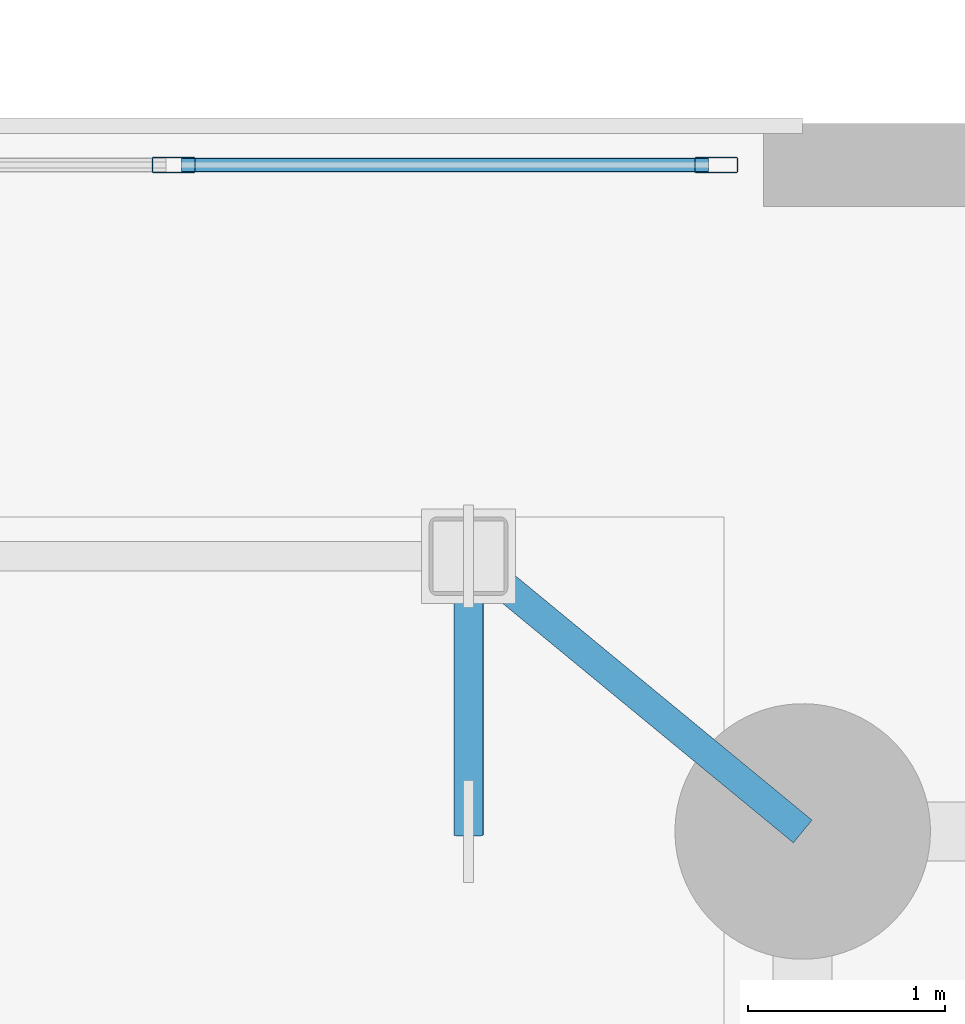
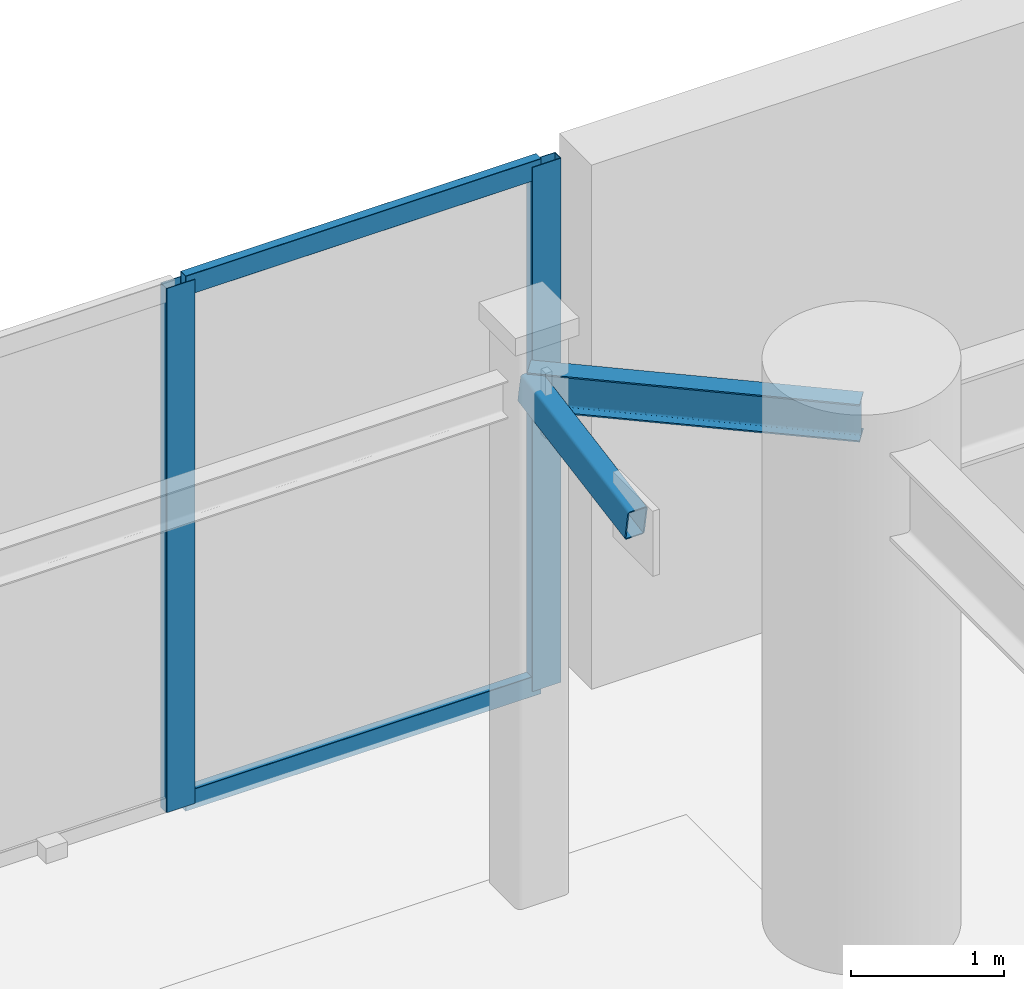
# One storey, part 19 of 42: 5 members, 1 beam, 1 element without a shape of its own.
"""IFC4 building model written with IfcOpenShell, lengths in metres."""

from ifc_helpers import new_model, si_unit, direction, frame, origin, origin_2d, place, context, subcontext, project, spatial, hollow_rectangle, i_section, extrude, material, material_profile, profile_set, type_object, element, aggregate, save


model = new_model("IFC4")

# Units and contexts
model_context = context("Model", 3, precision=1e-05, world=origin(), true_north=direction((0.0, 1.0)))
body_context = subcontext(model_context, "Body", "Model", "MODEL_VIEW")
ifc_project = project(units=[si_unit("LENGTHUNIT", "METRE"), si_unit("AREAUNIT", "SQUARE_METRE"), si_unit("VOLUMEUNIT", "CUBIC_METRE"), si_unit("PLANEANGLEUNIT", "RADIAN"), si_unit("MASSUNIT", "GRAM", prefix="KILO")], contexts=[model_context])

# Site, building, storey
site_placement = place(None, origin())
site = spatial("IfcSite", under=ifc_project, at=site_placement, CompositionType="ELEMENT")
building_placement = place(site_placement, origin())
building = spatial("IfcBuilding", under=site, at=building_placement, Name="Narakoshi Arena Tower", CompositionType="ELEMENT")
storey_placement = place(building_placement, origin())
storey = spatial("IfcBuildingStorey", under=building, at=storey_placement, Name="L00", CompositionType="ELEMENT", Elevation=0.0)

# Beam
ifc_material_1 = material(Name="Structural steel S355J2", Category="steel")
ifc_material_profile_1 = material_profile(ifc_material_1, i_section(OverallWidth=0.14990234375, OverallDepth=0.300048828125, WebThickness=0.007080078125, FlangeThickness=0.0107421875, FilletRadius=0.014892578125, at=origin_2d()), Name="IPE300")
ifc_profile_set_1 = profile_set([ifc_material_profile_1], Name="Structural steel S355J2")
beam_type = type_object("IfcBeamType", Name="BM-CAN-300", PredefinedType="BEAM", material=ifc_profile_set_1)
beam_placement = place(storey_placement, frame((68.5, 93.800048828125, 4.030029296875), z_axis=(0.771888634484, -0.635757765154, 0.0), x_axis=(0.635757765154, 0.771888634484, 0.0)))
element("IfcBeam", 1, at=beam_placement, inside=storey, type_object=beam_type, Name="L00 Concourse Canopy Beam 08", PredefinedType="BEAM", context=body_context, shape_type="SweptSolid", body=[
    extrude(i_section(OverallWidth=0.14990234375, OverallDepth=0.300048828125, WebThickness=0.007080078125, FlangeThickness=0.0107421875, FilletRadius=0.014892578125, at=origin_2d()), origin(), (0.0, 0.0, 1.0), 2.202392578125),
])

# Member
ifc_material_profile_2 = material_profile(ifc_material_1, hollow_rectangle(XDim=0.14990234375, YDim=0.25, WallThickness=0.010009765625, OuterFilletRadius=0.02001953125, at=origin_2d()), Name="RHS250x150x10")
ifc_profile_set_2 = profile_set([ifc_material_profile_2], Name="Structural steel S355J2")
member_type_1 = type_object("IfcMemberType", Name="MEM-CAN-250", PredefinedType="STRINGER", material=ifc_profile_set_2)
member_1_placement = place(storey_placement, frame((68.5, 93.800048828125, 4.030029296875), z_axis=(0.0, -0.984430758038, -0.175772815385), x_axis=(1.0, 0.0, 0.0)))
element("IfcMember", 2, at=member_1_placement, inside=storey, type_object=member_type_1, Name="L00 Concourse Canopy Tie 06", PredefinedType="STRINGER", context=body_context, shape_type="SweptSolid", body=[
    extrude(hollow_rectangle(XDim=0.14990234375, YDim=0.25, WallThickness=0.010009765625, OuterFilletRadius=0.02001953125, at=origin_2d()), origin(), (0.0, 0.0, 1.0), 1.42236328125),
])

# Curtain wall, members
ifc_material_2 = material(Name="Anodised bronze aluminium 6063-T6", Category="aluminium")
curtain_wall_type = type_object("IfcCurtainWallType", Name="CW-POD-CONC", PredefinedType="NOTDEFINED", material=ifc_material_2)
curtain_wall_placement = place(storey_placement, origin())
curtain_wall = element("IfcCurtainWall", 3, at=curtain_wall_placement, inside=storey, type_object=curtain_wall_type, Name="L00 Street Concourse Curtain Wall CN1", PredefinedType="NOTDEFINED")
ifc_material_profile_3 = material_profile(ifc_material_2, hollow_rectangle(XDim=0.080078125, YDim=0.219970703125, WallThickness=0.0048828125, OuterFilletRadius=0.006103515625, at=origin_2d()), Name="MUL220x80x5")
ifc_profile_set_3 = profile_set([ifc_material_profile_3], Name="Anodised bronze aluminium 6063-T6")
member_type_2 = type_object("IfcMemberType", Name="MEM-MUL-220", PredefinedType="MULLION", material=ifc_profile_set_3)
member_2_placement = place(storey_placement, frame((69.760009765625, 95.7900390625, 0.0), z_axis=(0.0, 0.0, 1.0), x_axis=(0.0, -1.0, 0.0)))
member_2 = element("IfcMember", 4, at=member_2_placement, type_object=member_type_2, Name="CW-04 mullion 1", PredefinedType="MULLION", context=body_context, shape_type="SweptSolid", body=[
    extrude(hollow_rectangle(XDim=0.080078125, YDim=0.219970703125, WallThickness=0.0048828125, OuterFilletRadius=0.006103515625, at=origin_2d()), origin(), (0.0, 0.0, 1.0), 4.179931640625),
])
member_3_placement = place(storey_placement, frame((67.0, 95.7900390625, 0.0), z_axis=(0.0, 0.0, 1.0), x_axis=(0.0, -1.0, 0.0)))
member_3 = element("IfcMember", 5, at=member_3_placement, type_object=member_type_2, Name="CW-04 mullion 2", PredefinedType="MULLION", context=body_context, shape_type="SweptSolid", body=[
    extrude(hollow_rectangle(XDim=0.080078125, YDim=0.219970703125, WallThickness=0.0048828125, OuterFilletRadius=0.006103515625, at=origin_2d()), origin(), (0.0, 0.0, 1.0), 4.179931640625),
])
ifc_material_profile_4 = material_profile(ifc_material_2, hollow_rectangle(XDim=0.070068359375, YDim=0.159912109375, WallThickness=0.00390625, OuterFilletRadius=0.0048828125, at=origin_2d()), Name="TRN160x70x4")
ifc_profile_set_4 = profile_set([ifc_material_profile_4], Name="Anodised bronze aluminium 6063-T6")
member_type_3 = type_object("IfcMemberType", Name="MEM-TRN-160", PredefinedType="USERDEFINED", material=ifc_profile_set_4)
member_4_placement = place(storey_placement, frame((69.719970703125, 95.7900390625, 0.034912109375), z_axis=(-1.0, 0.0, 0.0), x_axis=(0.0, -1.0, 0.0)))
member_4 = element("IfcMember", 6, at=member_4_placement, type_object=member_type_3, Name="CW-04 transom 1.1", ObjectType="TRANSOM", PredefinedType="USERDEFINED", context=body_context, shape_type="SweptSolid", body=[
    extrude(hollow_rectangle(XDim=0.070068359375, YDim=0.159912109375, WallThickness=0.00390625, OuterFilletRadius=0.0048828125, at=origin_2d()), origin(), (0.0, 0.0, 1.0), 2.679931640625),
])
member_5_placement = place(storey_placement, frame((69.719970703125, 95.7900390625, 4.14501953125), z_axis=(-1.0, 0.0, 0.0), x_axis=(0.0, -1.0, 0.0)))
member_5 = element("IfcMember", 7, at=member_5_placement, type_object=member_type_3, Name="CW-04 transom 1.2", ObjectType="TRANSOM", PredefinedType="USERDEFINED", context=body_context, shape_type="SweptSolid", body=[
    extrude(hollow_rectangle(XDim=0.070068359375, YDim=0.159912109375, WallThickness=0.00390625, OuterFilletRadius=0.0048828125, at=origin_2d()), origin(), (0.0, 0.0, 1.0), 2.679931640625),
])
aggregate(curtain_wall, [member_2, member_3, member_4, member_5])

save(model, "model.ifc")
